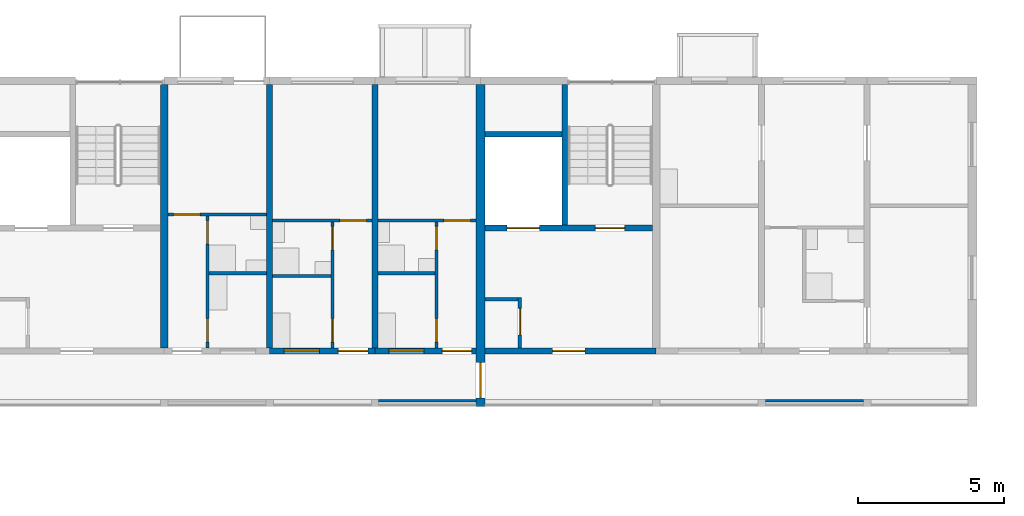
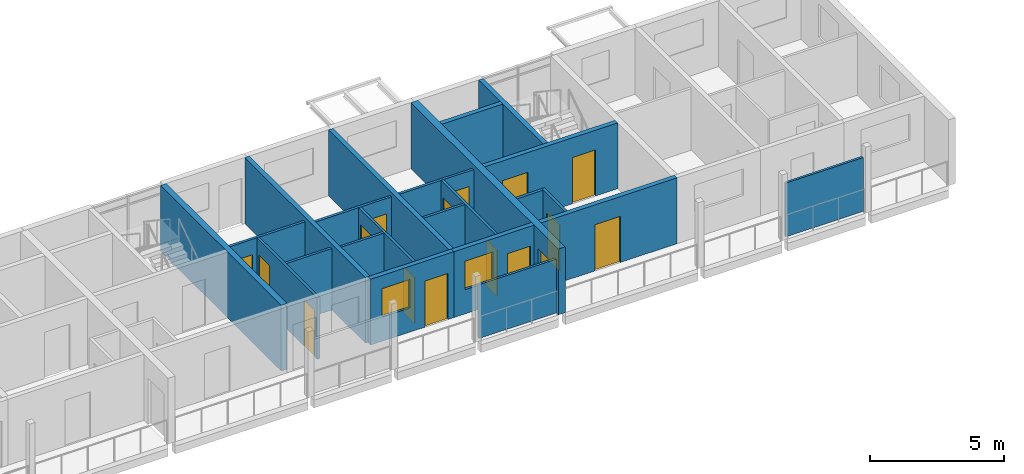
# One storey, part 42 of 98: 23 walls, 16 doors, 2 windows, 18 openings.
"""IFC4 building model written with IfcOpenShell, lengths in metres."""

from ifc_helpers import new_model, si_unit, direction, frame, frame_2d, origin, place, context, subcontext, project, spatial, rectangle, extrude, material, layer, layer_set, type_object, element, fill, save


model = new_model("IFC4")

# Units and contexts
model_context = context("Model", 3, precision=1e-05, world=origin(), true_north=direction((0.0, 1.0)))
body_context = subcontext(model_context, "Body", "Model", "MODEL_VIEW")
ifc_project = project(units=[si_unit("LENGTHUNIT", "METRE"), si_unit("AREAUNIT", "SQUARE_METRE"), si_unit("VOLUMEUNIT", "CUBIC_METRE"), si_unit("PLANEANGLEUNIT", "RADIAN"), si_unit("MASSUNIT", "GRAM", prefix="KILO")], contexts=[model_context])

# Site, building, storey
site_placement = place(None, origin())
site = spatial("IfcSite", under=ifc_project, at=site_placement, CompositionType="ELEMENT")
building_placement = place(site_placement, origin())
building = spatial("IfcBuilding", under=site, at=building_placement, Name="Ridgestep Commons", CompositionType="ELEMENT")
storey_placement = place(building_placement, frame((0.0, 0.0, 12.0)))
storey = spatial("IfcBuildingStorey", under=building, at=storey_placement, Name="L04", CompositionType="ELEMENT", Elevation=12.0)

# Wall
ifc_material_1 = material(Name="Concrete C30/37", Category="concrete")
ifc_layer_1 = layer(ifc_material_1, 0.25)
ifc_layer_set_1 = layer_set([ifc_layer_1], Name="Core cross wall 250")
wall_type_1 = type_object("IfcWallType", Name="Core cross wall 250", PredefinedType="SHEAR", material=ifc_layer_set_1)
wall_1_placement = place(storey_placement, frame((85.199951171875, 68.0, 0.0), z_axis=(0.0, 0.0, 1.0), x_axis=(0.0, 1.0, 0.0)))
element("IfcWall", 1, at=wall_1_placement, inside=storey, type_object=wall_type_1, Name="Cross wall B-04-0852", PredefinedType="SHEAR", context=body_context, shape_type="SweptSolid", body=[
    extrude(rectangle(XDim=9.0, YDim=0.25, at=frame_2d((4.5, 0.0))), origin(), (0.0, 0.0, 1.0), 3.0),
])

# Wall, opening, door
ifc_material_2 = material(Name="Concrete C30/37", Category="concrete")
ifc_layer_2 = layer(ifc_material_2, 0.199951171875)
ifc_layer_set_2 = layer_set([ifc_layer_2], Name="Core south wall 200")
wall_type_2 = type_object("IfcWallType", Name="Core south wall 200", PredefinedType="SHEAR", material=ifc_layer_set_2)
wall_2_placement = place(storey_placement, frame((96.14990234375, 67.89990234375, 0.0), z_axis=(0.0, 0.0, 1.0), x_axis=(1.0, 0.0, 0.0)))
wall_2 = element("IfcWall", 2, at=wall_2_placement, inside=storey, type_object=wall_type_2, Name="Core south wall B6C L04", PredefinedType="SHEAR", context=body_context, shape_type="SweptSolid", body=[
    extrude(rectangle(XDim=5.85009765625, YDim=0.199951171875, at=frame_2d((2.925048828125, 0.0))), origin(), (0.0, 0.0, 1.0), 3.0),
])
opening_1_placement = place(wall_2_placement, frame((2.3125, 0.0, 0.0)))
opening_1 = element("IfcOpeningElement", 3, at=opening_1_placement, cuts=wall_2, Name="Opening B6C/04/1", PredefinedType="OPENING", context=body_context, shape_type="SweptSolid", body=[
    extrude(rectangle(XDim=1.10009765625, YDim=2.10009765625, at=frame_2d((0.550048828125, 1.050048828125))), frame((0.0, 0.10986328125, 0.0), z_axis=(0.0, -1.0, 0.0), x_axis=(1.0, 0.0, 0.0)), (0.0, 0.0, 1.0), 0.219970703125),
])
ifc_material_3 = material(Name="Steel fire door", Category="steel")
door_type_1 = type_object("IfcDoorType", Name="Lobby door 1100 x 2100 FD60", OperationType="NOTDEFINED", PredefinedType="DOOR", material=ifc_material_3)
door_1_placement = place(opening_1_placement, origin())
door_1 = element("IfcDoor", 4, at=door_1_placement, inside=storey, type_object=door_type_1, Name="Lobby door B6C/04/1", OperationType="SINGLE_SWING_LEFT", OverallHeight=2.10009765625, OverallWidth=1.10009765625, PredefinedType="DOOR", context=body_context, shape_type="SweptSolid", body=[
    extrude(rectangle(XDim=1.10009765625, YDim=2.10009765625, at=frame_2d((0.550048828125, 1.050048828125))), frame((0.0, 0.02490234375, 0.0), z_axis=(0.0, -1.0, 0.0), x_axis=(1.0, 0.0, 0.0)), (0.0, 0.0, 1.0), 0.050048828125),
])
fill(opening_1, door_1)

ifc_material_4 = material(Name="Concrete C30/37", Category="concrete")
ifc_layer_3 = layer(ifc_material_4, 0.1201171875)
ifc_layer_set_3 = layer_set([ifc_layer_3], Name="Core wall 120")
wall_type_3 = type_object("IfcWallType", Name="Core wall 120", PredefinedType="SHEAR", material=ifc_layer_set_3)
wall_3_placement = place(storey_placement, frame((97.340087890625, 68.0, 0.0), z_axis=(0.0, 0.0, 1.0), x_axis=(0.0, 1.0, 0.0)))
wall_3 = element("IfcWall", 5, at=wall_3_placement, inside=storey, type_object=wall_type_3, Name="Core riser w wall B6C L04", PredefinedType="SHEAR", context=body_context, shape_type="SweptSolid", body=[
    extrude(rectangle(XDim=1.719970703125, YDim=0.1201171875, at=frame_2d((0.85986328125, 0.0))), origin(), (0.0, 0.0, 1.0), 3.0),
])
opening_2_placement = place(wall_3_placement, frame((0.449951171875, 0.0, 0.0)))
opening_2 = element("IfcOpeningElement", 6, at=opening_2_placement, cuts=wall_3, Name="Opening B6C/04/4", PredefinedType="OPENING", context=body_context, shape_type="SweptSolid", body=[
    extrude(rectangle(XDim=0.89990234375, YDim=2.10009765625, at=frame_2d((0.449951171875, 1.050048828125))), frame((0.0, 0.070068359375, 0.0), z_axis=(0.0, -1.0, 0.0), x_axis=(1.0, 0.0, 0.0)), (0.0, 0.0, 1.0), 0.14013671875),
])
ifc_material_5 = material(Name="Steel fire door", Category="steel")
door_type_2 = type_object("IfcDoorType", Name="Riser door 900 x 2100 FD60", OperationType="NOTDEFINED", PredefinedType="DOOR", material=ifc_material_5)
door_2_placement = place(opening_2_placement, origin())
door_2 = element("IfcDoor", 7, at=door_2_placement, inside=storey, type_object=door_type_2, Name="Riser door B6C/04/4", OperationType="SINGLE_SWING_RIGHT", OverallHeight=2.10009765625, OverallWidth=0.89990234375, PredefinedType="DOOR", context=body_context, shape_type="SweptSolid", body=[
    extrude(rectangle(XDim=0.89990234375, YDim=2.10009765625, at=frame_2d((0.449951171875, 1.050048828125))), frame((0.0, 0.02490234375, 0.0), z_axis=(0.0, -1.0, 0.0), x_axis=(1.0, 0.0, 0.0)), (0.0, 0.0, 1.0), 0.050048828125),
])
fill(opening_2, door_2)

# Wall
wall_4_placement = place(storey_placement, frame((96.14990234375, 69.659912109375, 0.0), z_axis=(0.0, 0.0, 1.0), x_axis=(1.0, 0.0, 0.0)))
element("IfcWall", 8, at=wall_4_placement, inside=storey, type_object=wall_type_3, Name="Core riser n wall B6C L04", PredefinedType="SHEAR", context=body_context, shape_type="SweptSolid", body=[
    extrude(rectangle(XDim=1.130126953125, YDim=0.1201171875, at=frame_2d((0.56494140625, 0.0))), origin(), (0.0, 0.0, 1.0), 3.0),
])

# Wall, openings, doors
ifc_material_6 = material(Name="Concrete C30/37", Category="concrete")
ifc_layer_4 = layer(ifc_material_6, 0.199951171875)
ifc_layer_set_4 = layer_set([ifc_layer_4], Name="Core wall 200")
wall_type_4 = type_object("IfcWallType", Name="Core wall 200", PredefinedType="SHEAR", material=ifc_layer_set_4)
wall_5_placement = place(storey_placement, frame((96.14990234375, 72.10009765625, 0.0), z_axis=(0.0, 0.0, 1.0), x_axis=(1.0, 0.0, 0.0)))
wall_5 = element("IfcWall", 9, at=wall_5_placement, inside=storey, type_object=wall_type_4, Name="Core lobby wall B6C L04", PredefinedType="SHEAR", context=body_context, shape_type="SweptSolid", body=[
    extrude(rectangle(XDim=5.72509765625, YDim=0.199951171875, at=frame_2d((2.862548828125, 0.0))), origin(), (0.0, 0.0, 1.0), 3.0),
])
opening_3_placement = place(wall_5_placement, frame((3.77490234375, 0.0, 0.0)))
opening_3 = element("IfcOpeningElement", 10, at=opening_3_placement, cuts=wall_5, Name="Opening B6C/04/2", PredefinedType="OPENING", context=body_context, shape_type="SweptSolid", body=[
    extrude(rectangle(XDim=1.0, YDim=2.10009765625, at=frame_2d((0.5, 1.050048828125))), frame((0.0, 0.10986328125, 0.0), z_axis=(0.0, -1.0, 0.0), x_axis=(1.0, 0.0, 0.0)), (0.0, 0.0, 1.0), 0.219970703125),
])
opening_4_placement = place(wall_5_placement, frame((0.762451171875, 0.0, 0.0)))
opening_4 = element("IfcOpeningElement", 11, at=opening_4_placement, cuts=wall_5, Name="Opening B6C/04/3", PredefinedType="OPENING", context=body_context, shape_type="SweptSolid", body=[
    extrude(rectangle(XDim=1.10009765625, YDim=2.10009765625, at=frame_2d((0.550048828125, 1.050048828125))), frame((0.0, 0.10986328125, 0.0), z_axis=(0.0, -1.0, 0.0), x_axis=(1.0, 0.0, 0.0)), (0.0, 0.0, 1.0), 0.219970703125),
])
ifc_material_7 = material(Name="Stainless steel", Category="steel")
door_type_3 = type_object("IfcDoorType", Name="Lift landing door 1100 x 2100 FD60", OperationType="DOUBLE_DOOR_SLIDING", PredefinedType="DOOR", material=ifc_material_7)
door_3_placement = place(opening_4_placement, origin())
door_3 = element("IfcDoor", 12, at=door_3_placement, inside=storey, type_object=door_type_3, Name="Landing door LD B6C L04", OperationType="DOUBLE_DOOR_SLIDING", OverallHeight=2.10009765625, OverallWidth=1.10009765625, PredefinedType="DOOR", context=body_context, shape_type="SweptSolid", body=[
    extrude(rectangle(XDim=1.10009765625, YDim=2.10009765625, at=frame_2d((0.550048828125, 1.050048828125))), frame((0.0, 0.02490234375, 0.0), z_axis=(0.0, -1.0, 0.0), x_axis=(1.0, 0.0, 0.0)), (0.0, 0.0, 1.0), 0.050048828125),
])
fill(opening_4, door_3)
ifc_material_8 = material(Name="Steel fire door", Category="steel")
door_type_4 = type_object("IfcDoorType", Name="Stair door 1000 x 2100 FD60", OperationType="NOTDEFINED", PredefinedType="DOOR", material=ifc_material_8)
door_4_placement = place(opening_3_placement, origin())
door_4 = element("IfcDoor", 13, at=door_4_placement, inside=storey, type_object=door_type_4, Name="Stair door B6C/04/2", OperationType="SINGLE_SWING_RIGHT", OverallHeight=2.10009765625, OverallWidth=1.0, PredefinedType="DOOR", context=body_context, shape_type="SweptSolid", body=[
    extrude(rectangle(XDim=1.0, YDim=2.10009765625, at=frame_2d((0.5, 1.050048828125))), frame((0.0, 0.02490234375, 0.0), z_axis=(0.0, -1.0, 0.0), x_axis=(1.0, 0.0, 0.0)), (0.0, 0.0, 1.0), 0.050048828125),
])
fill(opening_3, door_4)

# Walls
wall_6_placement = place(storey_placement, frame((98.875, 72.199951171875, 0.0), z_axis=(0.0, 0.0, 1.0), x_axis=(0.0, 1.0, 0.0)))
element("IfcWall", 14, at=wall_6_placement, inside=storey, type_object=wall_type_4, Name="Core stair wall B6C L04", PredefinedType="SHEAR", context=body_context, shape_type="SweptSolid", body=[
    extrude(rectangle(XDim=4.800048828125, YDim=0.199951171875, at=frame_2d((2.39990234375, 0.0))), origin(), (0.0, 0.0, 1.0), 3.0),
])
wall_7_placement = place(storey_placement, frame((96.14990234375, 75.300048828125, 0.0), z_axis=(0.0, 0.0, 1.0), x_axis=(1.0, 0.0, 0.0)))
element("IfcWall", 15, at=wall_7_placement, inside=storey, type_object=wall_type_4, Name="Core duct wall B6C L04", PredefinedType="SHEAR", context=body_context, shape_type="SweptSolid", body=[
    extrude(rectangle(XDim=2.625, YDim=0.199951171875, at=frame_2d((1.3125, 0.0))), origin(), (0.0, 0.0, 1.0), 3.0),
])
ifc_material_9 = material(Name="Precast concrete C40/50", Category="concrete")
ifc_layer_5 = layer(ifc_material_9, 0.199951171875)
ifc_layer_set_5 = layer_set([ifc_layer_5], Name="Cross wall 200")
wall_type_5 = type_object("IfcWallType", Name="Cross wall 200", PredefinedType="SHEAR", material=ifc_layer_set_5)
for number, where, z_axis, x_axis, name in (
    (16, (88.800048828125, 68.0, 0.0), (0.0, 0.0, 1.0), (0.0, 1.0, 0.0), "Cross wall B-04-0888"),
    (17, (92.39990234375, 68.0, 0.0), (0.0, 0.0, 1.0), (0.0, 1.0, 0.0), "Cross wall B-04-0924"),
):
    element("IfcWall", number, at=place(storey_placement, frame(where, z_axis=z_axis, x_axis=x_axis)), inside=storey, type_object=wall_type_5, Name=name, PredefinedType="SHEAR", context=body_context, shape_type="SweptSolid", body=[
        extrude(rectangle(XDim=9.0, YDim=0.199951171875, at=frame_2d((4.5, 0.0))), origin(), (0.0, 0.0, 1.0), 3.0),
    ])

# Wall, opening, door
ifc_material_10 = material(Name="Precast concrete C40/50", Category="concrete")
ifc_layer_6 = layer(ifc_material_10, 0.300048828125)
ifc_layer_set_6 = layer_set([ifc_layer_6], Name="Division wall 300")
wall_type_6 = type_object("IfcWallType", Name="Division wall 300", PredefinedType="SHEAR", material=ifc_layer_set_6)
wall_8_placement = place(storey_placement, frame((96.0, 66.0, 0.0), z_axis=(0.0, 0.0, 1.0), x_axis=(0.0, 1.0, 0.0)))
wall_8 = element("IfcWall", 18, at=wall_8_placement, inside=storey, type_object=wall_type_6, Name="Cross wall B-04-0960", PredefinedType="SHEAR", context=body_context, shape_type="SweptSolid", body=[
    extrude(rectangle(XDim=11.0, YDim=0.300048828125, at=frame_2d((5.5, 0.0))), origin(), (0.0, 0.0, 1.0), 3.0),
])
opening_5_placement = place(wall_8_placement, frame((0.300048828125, 0.0, 0.0)))
opening_5 = element("IfcOpeningElement", 19, at=opening_5_placement, cuts=wall_8, Name="Opening B/04/G0960", PredefinedType="OPENING", context=body_context, shape_type="SweptSolid", body=[
    extrude(rectangle(XDim=1.199951171875, YDim=2.10009765625, at=frame_2d((0.60009765625, 1.050048828125))), frame((0.0, 0.159912109375, 0.0), z_axis=(0.0, -1.0, 0.0), x_axis=(1.0, 0.0, 0.0)), (0.0, 0.0, 1.0), 0.320068359375),
])
ifc_material_11 = material(Name="Steel fire door", Category="steel")
door_type_5 = type_object("IfcDoorType", Name="Division fire door 1200 x 2100 EI 240", OperationType="DOUBLE_DOOR_SINGLE_SWING", PredefinedType="DOOR", material=ifc_material_11)
door_5_placement = place(opening_5_placement, origin())
door_5 = element("IfcDoor", 20, at=door_5_placement, inside=storey, type_object=door_type_5, Name="Division fire door B/04/G0960", OperationType="DOUBLE_DOOR_SINGLE_SWING", OverallHeight=2.10009765625, OverallWidth=1.199951171875, PredefinedType="DOOR", context=body_context, shape_type="SweptSolid", body=[
    extrude(rectangle(XDim=1.199951171875, YDim=2.10009765625, at=frame_2d((0.60009765625, 1.050048828125))), frame((0.0, 0.02490234375, 0.0), z_axis=(0.0, -1.0, 0.0), x_axis=(1.0, 0.0, 0.0)), (0.0, 0.0, 1.0), 0.050048828125),
])
fill(opening_5, door_5)

# Wall
ifc_material_12 = material(Name="Common brick 110 mm", Category="masonry")
ifc_layer_7 = layer(ifc_material_12, 0.110107421875)
ifc_layer_set_7 = layer_set([ifc_layer_7], Name="Partition 110")
wall_type_7 = type_object("IfcWallType", Name="Partition 110", PredefinedType="PARTITIONING", material=ifc_layer_set_7)
wall_9_placement = place(storey_placement, frame((92.5, 70.554931640625, 0.0), z_axis=(0.0, 0.0, 1.0), x_axis=(1.0, 0.0, 0.0)))
element("IfcWall", 21, at=wall_9_placement, inside=storey, type_object=wall_type_7, Name="Partition B5-04a", PredefinedType="PARTITIONING", context=body_context, shape_type="SweptSolid", body=[
    extrude(rectangle(XDim=1.93994140625, YDim=0.110107421875, at=frame_2d((0.969970703125, 0.0))), origin(), (0.0, 0.0, 1.0), 2.800048828125),
])

# Wall, openings, doors
wall_10_placement = place(storey_placement, frame((94.4951171875, 68.0, 0.0), z_axis=(0.0, 0.0, 1.0), x_axis=(0.0, 1.0, 0.0)))
wall_10 = element("IfcWall", 22, at=wall_10_placement, inside=storey, type_object=wall_type_7, Name="Partition B5-04a", PredefinedType="PARTITIONING", context=body_context, shape_type="SweptSolid", body=[
    extrude(rectangle(XDim=4.300048828125, YDim=0.110107421875, at=frame_2d((2.14990234375, 0.0))), origin(), (0.0, 0.0, 1.0), 2.800048828125),
])
opening_6_placement = place(wall_10_placement, frame((0.199951171875, 0.0, 0.0)))
opening_6 = element("IfcOpeningElement", 23, at=opening_6_placement, cuts=wall_10, Name="Opening B5-04a/2", PredefinedType="OPENING", context=body_context, shape_type="SweptSolid", body=[
    extrude(rectangle(XDim=0.800048828125, YDim=2.10009765625, at=frame_2d((0.39990234375, 1.050048828125))), frame((0.0, 0.06494140625, 0.0), z_axis=(0.0, -1.0, 0.0), x_axis=(1.0, 0.0, 0.0)), (0.0, 0.0, 1.0), 0.130126953125),
])
opening_7_placement = place(wall_10_placement, frame((3.35009765625, 0.0, 0.0)))
opening_7 = element("IfcOpeningElement", 24, at=opening_7_placement, cuts=wall_10, Name="Opening B5-04a/3", PredefinedType="OPENING", context=body_context, shape_type="SweptSolid", body=[
    extrude(rectangle(XDim=0.800048828125, YDim=2.10009765625, at=frame_2d((0.39990234375, 1.050048828125))), frame((0.0, 0.06494140625, 0.0), z_axis=(0.0, -1.0, 0.0), x_axis=(1.0, 0.0, 0.0)), (0.0, 0.0, 1.0), 0.130126953125),
])
ifc_material_13 = material(Name="Timber door leaf", Category="wood")
door_type_6 = type_object("IfcDoorType", Name="Internal door 800 x 2100", OperationType="NOTDEFINED", PredefinedType="DOOR", material=ifc_material_13)
door_6_placement = place(opening_6_placement, origin())
door_6 = element("IfcDoor", 25, at=door_6_placement, inside=storey, type_object=door_type_6, Name="Internal door B5-04a/2", OperationType="SINGLE_SWING_LEFT", OverallHeight=2.10009765625, OverallWidth=0.800048828125, PredefinedType="DOOR", context=body_context, shape_type="SweptSolid", body=[
    extrude(rectangle(XDim=0.800048828125, YDim=2.10009765625, at=frame_2d((0.39990234375, 1.050048828125))), frame((0.0, 0.02490234375, 0.0), z_axis=(0.0, -1.0, 0.0), x_axis=(1.0, 0.0, 0.0)), (0.0, 0.0, 1.0), 0.050048828125),
])
fill(opening_6, door_6)
door_7_placement = place(opening_7_placement, origin())
door_7 = element("IfcDoor", 26, at=door_7_placement, inside=storey, type_object=door_type_6, Name="Internal door B5-04a/3", OperationType="SINGLE_SWING_RIGHT", OverallHeight=2.10009765625, OverallWidth=0.800048828125, PredefinedType="DOOR", context=body_context, shape_type="SweptSolid", body=[
    extrude(rectangle(XDim=0.800048828125, YDim=2.10009765625, at=frame_2d((0.39990234375, 1.050048828125))), frame((0.0, 0.02490234375, 0.0), z_axis=(0.0, -1.0, 0.0), x_axis=(1.0, 0.0, 0.0)), (0.0, 0.0, 1.0), 0.050048828125),
])
fill(opening_7, door_7)

# Wall, opening, door
wall_11_placement = place(storey_placement, frame((92.5, 72.35498046875, 0.0), z_axis=(0.0, 0.0, 1.0), x_axis=(1.0, 0.0, 0.0)))
wall_11 = element("IfcWall", 27, at=wall_11_placement, inside=storey, type_object=wall_type_7, Name="Partition B5-04a", PredefinedType="PARTITIONING", context=body_context, shape_type="SweptSolid", body=[
    extrude(rectangle(XDim=3.35009765625, YDim=0.110107421875, at=frame_2d((1.675048828125, 0.0))), origin(), (0.0, 0.0, 1.0), 2.800048828125),
])
opening_8_placement = place(wall_11_placement, frame((2.25, 0.0, 0.0)))
opening_8 = element("IfcOpeningElement", 28, at=opening_8_placement, cuts=wall_11, Name="Opening B5-04a/4", PredefinedType="OPENING", context=body_context, shape_type="SweptSolid", body=[
    extrude(rectangle(XDim=0.89990234375, YDim=2.10009765625, at=frame_2d((0.449951171875, 1.050048828125))), frame((0.0, 0.06494140625, 0.0), z_axis=(0.0, -1.0, 0.0), x_axis=(1.0, 0.0, 0.0)), (0.0, 0.0, 1.0), 0.130126953125),
])
ifc_material_14 = material(Name="Timber door leaf", Category="wood")
door_type_7 = type_object("IfcDoorType", Name="Internal door 900 x 2100", OperationType="NOTDEFINED", PredefinedType="DOOR", material=ifc_material_14)
door_8_placement = place(opening_8_placement, origin())
door_8 = element("IfcDoor", 29, at=door_8_placement, inside=storey, type_object=door_type_7, Name="Internal door B5-04a/4", OperationType="SINGLE_SWING_LEFT", OverallHeight=2.10009765625, OverallWidth=0.89990234375, PredefinedType="DOOR", context=body_context, shape_type="SweptSolid", body=[
    extrude(rectangle(XDim=0.89990234375, YDim=2.10009765625, at=frame_2d((0.449951171875, 1.050048828125))), frame((0.0, 0.02490234375, 0.0), z_axis=(0.0, -1.0, 0.0), x_axis=(1.0, 0.0, 0.0)), (0.0, 0.0, 1.0), 0.050048828125),
])
fill(opening_8, door_8)

# Wall
wall_12_placement = place(storey_placement, frame((88.89990234375, 70.455078125, 0.0), z_axis=(0.0, 0.0, 1.0), x_axis=(1.0, 0.0, 0.0)))
element("IfcWall", 30, at=wall_12_placement, inside=storey, type_object=wall_type_7, Name="Partition B5-04b", PredefinedType="PARTITIONING", context=body_context, shape_type="SweptSolid", body=[
    extrude(rectangle(XDim=1.989990234375, YDim=0.110107421875, at=frame_2d((0.9951171875, 0.0))), origin(), (0.0, 0.0, 1.0), 2.800048828125),
])

# Wall, openings, doors
wall_13_placement = place(storey_placement, frame((90.945068359375, 68.0, 0.0), z_axis=(0.0, 0.0, 1.0), x_axis=(0.0, 1.0, 0.0)))
wall_13 = element("IfcWall", 31, at=wall_13_placement, inside=storey, type_object=wall_type_7, Name="Partition B5-04b", PredefinedType="PARTITIONING", context=body_context, shape_type="SweptSolid", body=[
    extrude(rectangle(XDim=4.300048828125, YDim=0.110107421875, at=frame_2d((2.14990234375, 0.0))), origin(), (0.0, 0.0, 1.0), 2.800048828125),
])
opening_9_placement = place(wall_13_placement, frame((0.199951171875, 0.0, 0.0)))
opening_9 = element("IfcOpeningElement", 32, at=opening_9_placement, cuts=wall_13, Name="Opening B5-04b/2", PredefinedType="OPENING", context=body_context, shape_type="SweptSolid", body=[
    extrude(rectangle(XDim=0.800048828125, YDim=2.10009765625, at=frame_2d((0.39990234375, 1.050048828125))), frame((0.0, 0.06494140625, 0.0), z_axis=(0.0, -1.0, 0.0), x_axis=(1.0, 0.0, 0.0)), (0.0, 0.0, 1.0), 0.130126953125),
])
opening_10_placement = place(wall_13_placement, frame((3.35009765625, 0.0, 0.0)))
opening_10 = element("IfcOpeningElement", 33, at=opening_10_placement, cuts=wall_13, Name="Opening B5-04b/3", PredefinedType="OPENING", context=body_context, shape_type="SweptSolid", body=[
    extrude(rectangle(XDim=0.800048828125, YDim=2.10009765625, at=frame_2d((0.39990234375, 1.050048828125))), frame((0.0, 0.06494140625, 0.0), z_axis=(0.0, -1.0, 0.0), x_axis=(1.0, 0.0, 0.0)), (0.0, 0.0, 1.0), 0.130126953125),
])
door_9_placement = place(opening_9_placement, origin())
door_9 = element("IfcDoor", 34, at=door_9_placement, inside=storey, type_object=door_type_6, Name="Internal door B5-04b/2", OperationType="SINGLE_SWING_LEFT", OverallHeight=2.10009765625, OverallWidth=0.800048828125, PredefinedType="DOOR", context=body_context, shape_type="SweptSolid", body=[
    extrude(rectangle(XDim=0.800048828125, YDim=2.10009765625, at=frame_2d((0.39990234375, 1.050048828125))), frame((0.0, 0.02490234375, 0.0), z_axis=(0.0, -1.0, 0.0), x_axis=(1.0, 0.0, 0.0)), (0.0, 0.0, 1.0), 0.050048828125),
])
fill(opening_9, door_9)
door_10_placement = place(opening_10_placement, origin())
door_10 = element("IfcDoor", 35, at=door_10_placement, inside=storey, type_object=door_type_6, Name="Internal door B5-04b/3", OperationType="SINGLE_SWING_RIGHT", OverallHeight=2.10009765625, OverallWidth=0.800048828125, PredefinedType="DOOR", context=body_context, shape_type="SweptSolid", body=[
    extrude(rectangle(XDim=0.800048828125, YDim=2.10009765625, at=frame_2d((0.39990234375, 1.050048828125))), frame((0.0, 0.02490234375, 0.0), z_axis=(0.0, -1.0, 0.0), x_axis=(1.0, 0.0, 0.0)), (0.0, 0.0, 1.0), 0.050048828125),
])
fill(opening_10, door_10)

# Wall, opening, door
wall_14_placement = place(storey_placement, frame((88.89990234375, 72.35498046875, 0.0), z_axis=(0.0, 0.0, 1.0), x_axis=(1.0, 0.0, 0.0)))
wall_14 = element("IfcWall", 36, at=wall_14_placement, inside=storey, type_object=wall_type_7, Name="Partition B5-04b", PredefinedType="PARTITIONING", context=body_context, shape_type="SweptSolid", body=[
    extrude(rectangle(XDim=3.400146484375, YDim=0.110107421875, at=frame_2d((1.7001953125, 0.0))), origin(), (0.0, 0.0, 1.0), 2.800048828125),
])
opening_11_placement = place(wall_14_placement, frame((2.300048828125, 0.0, 0.0)))
opening_11 = element("IfcOpeningElement", 37, at=opening_11_placement, cuts=wall_14, Name="Opening B5-04b/4", PredefinedType="OPENING", context=body_context, shape_type="SweptSolid", body=[
    extrude(rectangle(XDim=0.89990234375, YDim=2.10009765625, at=frame_2d((0.449951171875, 1.050048828125))), frame((0.0, 0.06494140625, 0.0), z_axis=(0.0, -1.0, 0.0), x_axis=(1.0, 0.0, 0.0)), (0.0, 0.0, 1.0), 0.130126953125),
])
door_11_placement = place(opening_11_placement, origin())
door_11 = element("IfcDoor", 38, at=door_11_placement, inside=storey, type_object=door_type_7, Name="Internal door B5-04b/4", OperationType="SINGLE_SWING_LEFT", OverallHeight=2.10009765625, OverallWidth=0.89990234375, PredefinedType="DOOR", context=body_context, shape_type="SweptSolid", body=[
    extrude(rectangle(XDim=0.89990234375, YDim=2.10009765625, at=frame_2d((0.449951171875, 1.050048828125))), frame((0.0, 0.02490234375, 0.0), z_axis=(0.0, -1.0, 0.0), x_axis=(1.0, 0.0, 0.0)), (0.0, 0.0, 1.0), 0.050048828125),
])
fill(opening_11, door_11)

# Wall, openings, doors
wall_15_placement = place(storey_placement, frame((86.679931640625, 68.0, 0.0), z_axis=(0.0, 0.0, 1.0), x_axis=(0.0, 1.0, 0.0)))
wall_15 = element("IfcWall", 39, at=wall_15_placement, inside=storey, type_object=wall_type_7, Name="Partition B5-04c", PredefinedType="PARTITIONING", context=body_context, shape_type="SweptSolid", body=[
    extrude(rectangle(XDim=4.5, YDim=0.110107421875, at=frame_2d((2.25, 0.0))), origin(), (0.0, 0.0, 1.0), 2.800048828125),
])
opening_12_placement = place(wall_15_placement, frame((0.199951171875, 0.0, 0.0)))
opening_12 = element("IfcOpeningElement", 40, at=opening_12_placement, cuts=wall_15, Name="Opening B5-04c/2", PredefinedType="OPENING", context=body_context, shape_type="SweptSolid", body=[
    extrude(rectangle(XDim=0.800048828125, YDim=2.10009765625, at=frame_2d((0.39990234375, 1.050048828125))), frame((0.0, 0.06494140625, 0.0), z_axis=(0.0, -1.0, 0.0), x_axis=(1.0, 0.0, 0.0)), (0.0, 0.0, 1.0), 0.130126953125),
])
opening_13_placement = place(wall_15_placement, frame((3.550048828125, 0.0, 0.0)))
opening_13 = element("IfcOpeningElement", 41, at=opening_13_placement, cuts=wall_15, Name="Opening B5-04c/3", PredefinedType="OPENING", context=body_context, shape_type="SweptSolid", body=[
    extrude(rectangle(XDim=0.800048828125, YDim=2.10009765625, at=frame_2d((0.39990234375, 1.050048828125))), frame((0.0, 0.06494140625, 0.0), z_axis=(0.0, -1.0, 0.0), x_axis=(1.0, 0.0, 0.0)), (0.0, 0.0, 1.0), 0.130126953125),
])
door_12_placement = place(opening_12_placement, origin())
door_12 = element("IfcDoor", 42, at=door_12_placement, inside=storey, type_object=door_type_6, Name="Internal door B5-04c/2", OperationType="SINGLE_SWING_RIGHT", OverallHeight=2.10009765625, OverallWidth=0.800048828125, PredefinedType="DOOR", context=body_context, shape_type="SweptSolid", body=[
    extrude(rectangle(XDim=0.800048828125, YDim=2.10009765625, at=frame_2d((0.39990234375, 1.050048828125))), frame((0.0, 0.02490234375, 0.0), z_axis=(0.0, -1.0, 0.0), x_axis=(1.0, 0.0, 0.0)), (0.0, 0.0, 1.0), 0.050048828125),
])
fill(opening_12, door_12)
door_13_placement = place(opening_13_placement, origin())
door_13 = element("IfcDoor", 43, at=door_13_placement, inside=storey, type_object=door_type_6, Name="Internal door B5-04c/3", OperationType="SINGLE_SWING_LEFT", OverallHeight=2.10009765625, OverallWidth=0.800048828125, PredefinedType="DOOR", context=body_context, shape_type="SweptSolid", body=[
    extrude(rectangle(XDim=0.800048828125, YDim=2.10009765625, at=frame_2d((0.39990234375, 1.050048828125))), frame((0.0, 0.02490234375, 0.0), z_axis=(0.0, -1.0, 0.0), x_axis=(1.0, 0.0, 0.0)), (0.0, 0.0, 1.0), 0.050048828125),
])
fill(opening_13, door_13)

# Wall
wall_16_placement = place(storey_placement, frame((86.735107421875, 70.554931640625, 0.0), z_axis=(0.0, 0.0, 1.0), x_axis=(1.0, 0.0, 0.0)))
element("IfcWall", 44, at=wall_16_placement, inside=storey, type_object=wall_type_7, Name="Partition B5-04c", PredefinedType="PARTITIONING", context=body_context, shape_type="SweptSolid", body=[
    extrude(rectangle(XDim=1.96484375, YDim=0.110107421875, at=frame_2d((0.982421875, 0.0))), origin(), (0.0, 0.0, 1.0), 2.800048828125),
])

# Wall, opening, door
wall_17_placement = place(storey_placement, frame((85.324951171875, 72.554931640625, 0.0), z_axis=(0.0, 0.0, 1.0), x_axis=(1.0, 0.0, 0.0)))
wall_17 = element("IfcWall", 45, at=wall_17_placement, inside=storey, type_object=wall_type_7, Name="Partition B5-04c", PredefinedType="PARTITIONING", context=body_context, shape_type="SweptSolid", body=[
    extrude(rectangle(XDim=3.375, YDim=0.110107421875, at=frame_2d((1.6875, 0.0))), origin(), (0.0, 0.0, 1.0), 2.800048828125),
])
opening_14_placement = place(wall_17_placement, frame((0.199951171875, 0.0, 0.0)))
opening_14 = element("IfcOpeningElement", 46, at=opening_14_placement, cuts=wall_17, Name="Opening B5-04c/4", PredefinedType="OPENING", context=body_context, shape_type="SweptSolid", body=[
    extrude(rectangle(XDim=0.89990234375, YDim=2.10009765625, at=frame_2d((0.449951171875, 1.050048828125))), frame((0.0, 0.06494140625, 0.0), z_axis=(0.0, -1.0, 0.0), x_axis=(1.0, 0.0, 0.0)), (0.0, 0.0, 1.0), 0.130126953125),
])
door_14_placement = place(opening_14_placement, origin())
door_14 = element("IfcDoor", 47, at=door_14_placement, inside=storey, type_object=door_type_7, Name="Internal door B5-04c/4", OperationType="SINGLE_SWING_LEFT", OverallHeight=2.10009765625, OverallWidth=0.89990234375, PredefinedType="DOOR", context=body_context, shape_type="SweptSolid", body=[
    extrude(rectangle(XDim=0.89990234375, YDim=2.10009765625, at=frame_2d((0.449951171875, 1.050048828125))), frame((0.0, 0.02490234375, 0.0), z_axis=(0.0, -1.0, 0.0), x_axis=(1.0, 0.0, 0.0)), (0.0, 0.0, 1.0), 0.050048828125),
])
fill(opening_14, door_14)

# Walls
ifc_material_15 = material(Name="Precast concrete C30/37", Category="concrete")
ifc_layer_8 = layer(ifc_material_15, 0.10009765625)
ifc_layer_set_8 = layer_set([ifc_layer_8], Name="Perforated gallery screen 3325 x 2450 x 100")
wall_type_8 = type_object("IfcWallType", Name="Perforated gallery screen 3325 x 2450 x 100", PredefinedType="SOLIDWALL", material=ifc_layer_set_8)
wall_18_placement = place(storey_placement, frame((92.52490234375, 66.199951171875, 0.0), z_axis=(0.0, 0.0, 1.0), x_axis=(1.0, 0.0, 0.0)))
element("IfcWall", 48, at=wall_18_placement, inside=storey, type_object=wall_type_8, Name="Gallery screen B5T1 04", PredefinedType="SOLIDWALL", context=body_context, shape_type="SweptSolid", body=[
    extrude(rectangle(XDim=3.3251953125, YDim=0.10009765625, at=frame_2d((1.66259765625, 0.0))), origin(), (0.0, 0.0, 1.0), 2.449951171875),
])
ifc_material_16 = material(Name="Precast concrete C30/37", Category="concrete")
ifc_layer_9 = layer(ifc_material_16, 0.10009765625)
ifc_layer_set_9 = layer_set([ifc_layer_9], Name="Perforated gallery screen 3350 x 2450 x 100")
wall_type_9 = type_object("IfcWallType", Name="Perforated gallery screen 3350 x 2450 x 100", PredefinedType="SOLIDWALL", material=ifc_layer_set_9)
wall_19_placement = place(storey_placement, frame((105.72509765625, 66.199951171875, 0.0), z_axis=(0.0, 0.0, 1.0), x_axis=(1.0, 0.0, 0.0)))
element("IfcWall", 49, at=wall_19_placement, inside=storey, type_object=wall_type_9, Name="Gallery screen B6T2 04", PredefinedType="SOLIDWALL", context=body_context, shape_type="SweptSolid", body=[
    extrude(rectangle(XDim=3.349853515625, YDim=0.10009765625, at=frame_2d((1.6748046875, 0.0))), origin(), (0.0, 0.0, 1.0), 2.449951171875),
])

# Wall, openings, door, window
ifc_material_17 = material(Name="Precast concrete C40/50", Category="concrete")
ifc_layer_10 = layer(ifc_material_17, 0.199951171875)
ifc_layer_set_10 = layer_set([ifc_layer_10], Name="South facade panel 200")
wall_type_10 = type_object("IfcWallType", Name="South facade panel 200", PredefinedType="SOLIDWALL", material=ifc_layer_set_10)
wall_20_placement = place(storey_placement, frame((88.800048828125, 67.89990234375, 0.0), z_axis=(0.0, 0.0, 1.0), x_axis=(1.0, 0.0, 0.0)))
wall_20 = element("IfcWall", 50, at=wall_20_placement, inside=storey, type_object=wall_type_10, Name="South panel B5T2 L04", PredefinedType="SOLIDWALL", context=body_context, shape_type="SweptSolid", body=[
    extrude(rectangle(XDim=3.599853515625, YDim=0.199951171875, at=frame_2d((1.7998046875, 0.0))), origin(), (0.0, 0.0, 1.0), 3.0),
])
opening_15_placement = place(wall_20_placement, frame((0.4951171875, 0.0, 1.10009765625)))
opening_15 = element("IfcOpeningElement", 51, at=opening_15_placement, cuts=wall_20, Name="Opening W08", PredefinedType="OPENING", context=body_context, shape_type="SweptSolid", body=[
    extrude(rectangle(XDim=1.199951171875, YDim=1.300048828125, at=frame_2d((0.60009765625, 0.64990234375))), frame((0.0, 0.10986328125, 0.0), z_axis=(0.0, -1.0, 0.0), x_axis=(1.0, 0.0, 0.0)), (0.0, 0.0, 1.0), 0.219970703125),
])
opening_16_placement = place(wall_20_placement, frame((2.35009765625, 0.0, 0.0)))
opening_16 = element("IfcOpeningElement", 52, at=opening_16_placement, cuts=wall_20, Name="Opening B5-04b/1", PredefinedType="OPENING", context=body_context, shape_type="SweptSolid", body=[
    extrude(rectangle(XDim=1.0, YDim=2.10009765625, at=frame_2d((0.5, 1.050048828125))), frame((0.0, 0.10986328125, 0.0), z_axis=(0.0, -1.0, 0.0), x_axis=(1.0, 0.0, 0.0)), (0.0, 0.0, 1.0), 0.219970703125),
])
ifc_material_18 = material(Name="Timber door leaf", Category="wood")
door_type_8 = type_object("IfcDoorType", Name="Flat entrance door 1000 x 2100 FD30S", OperationType="NOTDEFINED", PredefinedType="DOOR", material=ifc_material_18)
door_15_placement = place(opening_16_placement, origin())
door_15 = element("IfcDoor", 53, at=door_15_placement, inside=storey, type_object=door_type_8, Name="Flat entrance door B5-04b/1", OperationType="SINGLE_SWING_RIGHT", OverallHeight=2.10009765625, OverallWidth=1.0, PredefinedType="DOOR", context=body_context, shape_type="SweptSolid", body=[
    extrude(rectangle(XDim=1.0, YDim=2.10009765625, at=frame_2d((0.5, 1.050048828125))), frame((0.0, 0.02490234375, 0.0), z_axis=(0.0, -1.0, 0.0), x_axis=(1.0, 0.0, 0.0)), (0.0, 0.0, 1.0), 0.050048828125),
])
fill(opening_16, door_15)
ifc_material_19 = material(Name="Aluminium 6063-T6 and glass", Category="aluminium")
window_type = type_object("IfcWindowType", Name="Flat window 1200 x 1300", PartitioningType="SINGLE_PANEL", PredefinedType="WINDOW", material=ifc_material_19)
window_1_placement = place(opening_15_placement, origin())
window_1 = element("IfcWindow", 54, at=window_1_placement, inside=storey, type_object=window_type, Name="Window B5-04b 1", OverallHeight=1.300048828125, OverallWidth=1.199951171875, PartitioningType="SINGLE_PANEL", PredefinedType="WINDOW", context=body_context, shape_type="SweptSolid", body=[
    extrude(rectangle(XDim=1.199951171875, YDim=1.300048828125, at=frame_2d((0.60009765625, 0.64990234375))), frame((0.0, 0.06005859375, 0.0), z_axis=(0.0, -1.0, 0.0), x_axis=(1.0, 0.0, 0.0)), (0.0, 0.0, 1.0), 0.06005859375),
])
fill(opening_15, window_1)

wall_21_placement = place(storey_placement, frame((92.39990234375, 67.89990234375, 0.0), z_axis=(0.0, 0.0, 1.0), x_axis=(1.0, 0.0, 0.0)))
wall_21 = element("IfcWall", 55, at=wall_21_placement, inside=storey, type_object=wall_type_10, Name="South panel B5T1 L04", PredefinedType="SOLIDWALL", context=body_context, shape_type="SweptSolid", body=[
    extrude(rectangle(XDim=3.4501953125, YDim=0.199951171875, at=frame_2d((1.72509765625, 0.0))), origin(), (0.0, 0.0, 1.0), 3.0),
])
opening_17_placement = place(wall_21_placement, frame((0.469970703125, 0.0, 1.10009765625)))
opening_17 = element("IfcOpeningElement", 56, at=opening_17_placement, cuts=wall_21, Name="Opening W08", PredefinedType="OPENING", context=body_context, shape_type="SweptSolid", body=[
    extrude(rectangle(XDim=1.199951171875, YDim=1.300048828125, at=frame_2d((0.60009765625, 0.64990234375))), frame((0.0, 0.10986328125, 0.0), z_axis=(0.0, -1.0, 0.0), x_axis=(1.0, 0.0, 0.0)), (0.0, 0.0, 1.0), 0.219970703125),
])
opening_18_placement = place(wall_21_placement, frame((2.300048828125, 0.0, 0.0)))
opening_18 = element("IfcOpeningElement", 57, at=opening_18_placement, cuts=wall_21, Name="Opening B5-04a/1", PredefinedType="OPENING", context=body_context, shape_type="SweptSolid", body=[
    extrude(rectangle(XDim=1.0, YDim=2.10009765625, at=frame_2d((0.5, 1.050048828125))), frame((0.0, 0.10986328125, 0.0), z_axis=(0.0, -1.0, 0.0), x_axis=(1.0, 0.0, 0.0)), (0.0, 0.0, 1.0), 0.219970703125),
])
door_16_placement = place(opening_18_placement, origin())
door_16 = element("IfcDoor", 58, at=door_16_placement, inside=storey, type_object=door_type_8, Name="Flat entrance door B5-04a/1", OperationType="SINGLE_SWING_RIGHT", OverallHeight=2.10009765625, OverallWidth=1.0, PredefinedType="DOOR", context=body_context, shape_type="SweptSolid", body=[
    extrude(rectangle(XDim=1.0, YDim=2.10009765625, at=frame_2d((0.5, 1.050048828125))), frame((0.0, 0.02490234375, 0.0), z_axis=(0.0, -1.0, 0.0), x_axis=(1.0, 0.0, 0.0)), (0.0, 0.0, 1.0), 0.050048828125),
])
fill(opening_18, door_16)
window_2_placement = place(opening_17_placement, origin())
window_2 = element("IfcWindow", 59, at=window_2_placement, inside=storey, type_object=window_type, Name="Window B5-04a 1", OverallHeight=1.300048828125, OverallWidth=1.199951171875, PartitioningType="SINGLE_PANEL", PredefinedType="WINDOW", context=body_context, shape_type="SweptSolid", body=[
    extrude(rectangle(XDim=1.199951171875, YDim=1.300048828125, at=frame_2d((0.60009765625, 0.64990234375))), frame((0.0, 0.06005859375, 0.0), z_axis=(0.0, -1.0, 0.0), x_axis=(1.0, 0.0, 0.0)), (0.0, 0.0, 1.0), 0.06005859375),
])
fill(opening_17, window_2)

save(model, "model.ifc")
